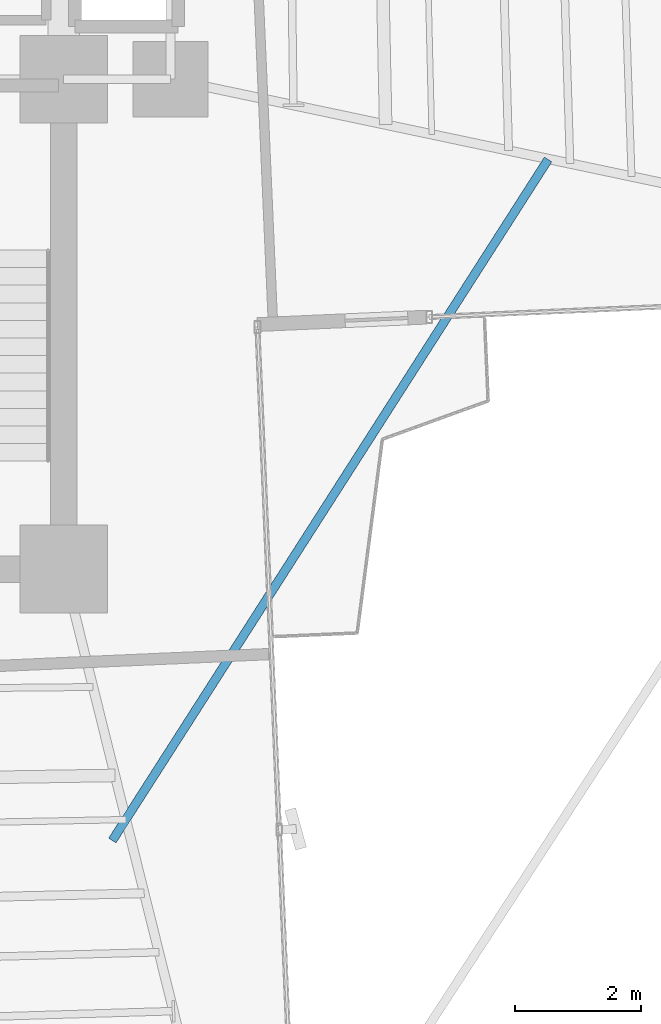
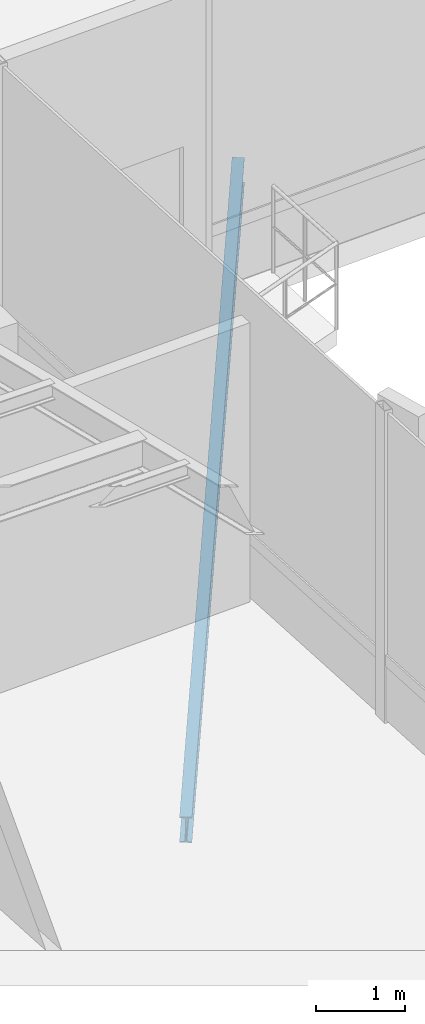
# One storey, part 4 of 21: 1 beam.
"""IFC4 building model written with IfcOpenShell, lengths in metres."""

from ifc_helpers import new_model, si_unit, direction, frame, origin, origin_2d, place, context, subcontext, project, spatial, i_section, extrude, source, transform, mapped, material, material_profile, profile_set, type_object, element, save


model = new_model("IFC4")

# Units and contexts
model_context = context("Model", 3, precision=1e-05, world=origin(), true_north=direction((0.0, 1.0)))
body_context = subcontext(model_context, "Body", "Model", "MODEL_VIEW")
ifc_project = project(units=[si_unit("LENGTHUNIT", "METRE"), si_unit("AREAUNIT", "SQUARE_METRE"), si_unit("VOLUMEUNIT", "CUBIC_METRE"), si_unit("PLANEANGLEUNIT", "RADIAN"), si_unit("MASSUNIT", "GRAM", prefix="KILO")], contexts=[model_context])

# Site, building, storey
site_placement = place(None, origin())
site = spatial("IfcSite", under=ifc_project, at=site_placement, CompositionType="ELEMENT")
building_placement = place(site_placement, origin())
building = spatial("IfcBuilding", under=site, at=building_placement, Name="Sahyath Konkavel Grand Hotel", CompositionType="ELEMENT")
storey_placement = place(building_placement, frame((0.0, 0.0, 79.0)))
storey = spatial("IfcBuildingStorey", under=building, at=storey_placement, Name="L21", CompositionType="ELEMENT", Elevation=79.0)

# Beam
ifc_material = material(Name="Steel E350", Category="steel")
ifc_material_profile = material_profile(ifc_material, i_section(OverallWidth=0.139892578125, OverallDepth=0.35009765625, WebThickness=0.008056640625, FlangeThickness=0.01416015625, FilletRadius=0.013916015625, at=origin_2d()), Name="ISMB 350")
ifc_profile_set = profile_set([ifc_material_profile], Name="Steel E350")
beam_type = type_object("IfcBeamType", Name="BM-BALC-CANT", PredefinedType="BEAM", material=ifc_profile_set)
shared_shape = source(origin(), body_context, "Body", "SweptSolid", [
    extrude(i_section(OverallWidth=0.139892578125, OverallDepth=0.35009765625, WebThickness=0.008056640625, FlangeThickness=0.01416015625, FilletRadius=0.013916015625, at=origin_2d()), origin(), (0.0, 0.0, 1.0), 12.871826171875),
])
beam_placement = place(storey_placement, frame((4.573974609375, -14.52001953125, -0.4951171875), z_axis=(0.539003102535, 0.842303778608, 0.0), x_axis=(-0.842303778608, 0.539003102535, 0.0)))
element("IfcBeam", 1, at=beam_placement, inside=storey, type_object=beam_type, Name="L21 Balcony Cantilever Support Beam SE", PredefinedType="BEAM", context=body_context, shape_type="MappedRepresentation", body=[
    mapped(shared_shape, transform((0.0, 0.0, 0.0), scale=1.0)),
])

save(model, "model.ifc")
